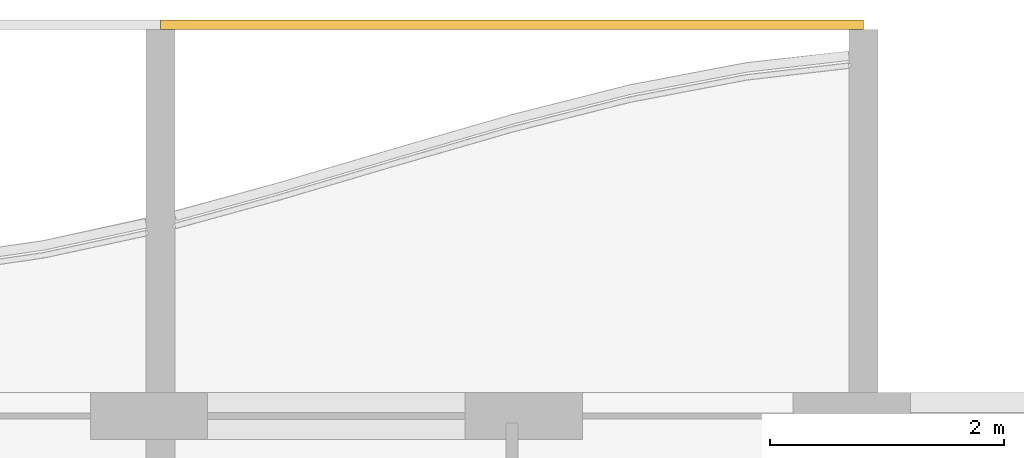
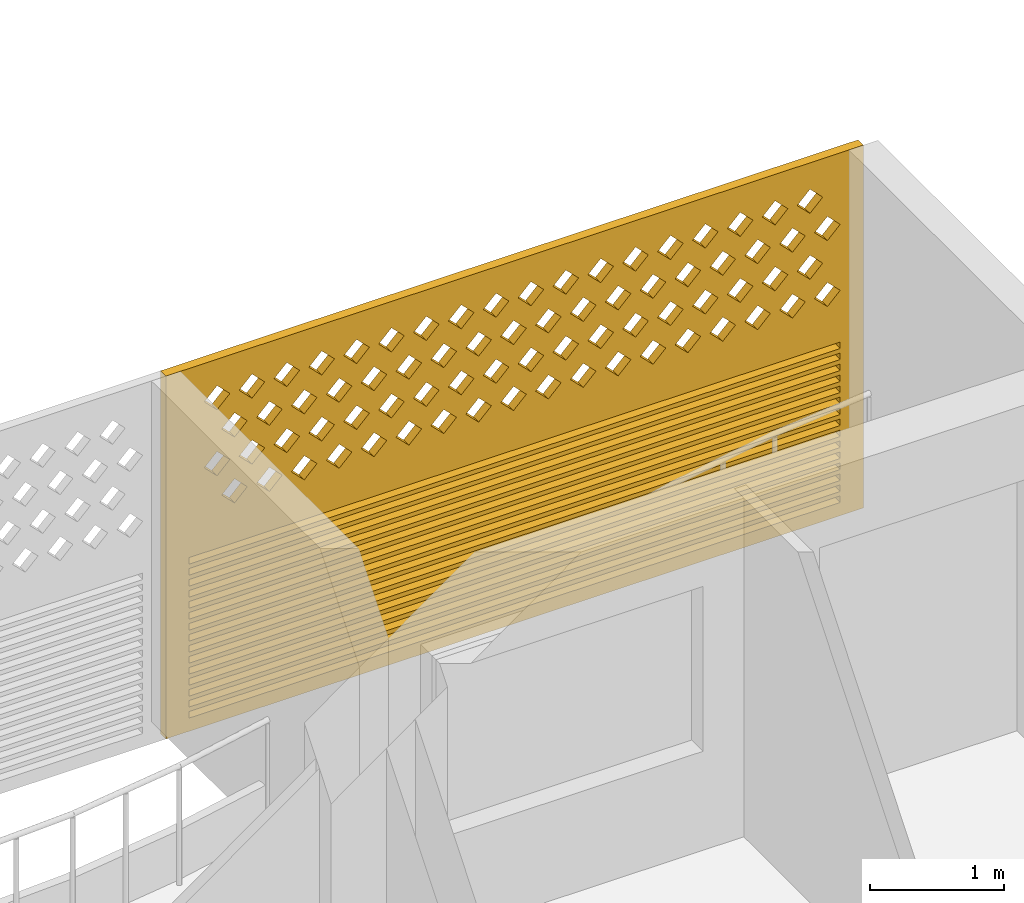
# One storey, part 22 of 26: 1 covering.
"""IFC4 building model written with IfcOpenShell, lengths in metres."""

from ifc_helpers import new_model, si_unit, direction, frame, origin, place, context, subcontext, project, spatial, polyline, outline, extrude, source, transform, mapped, material, material_profile, profile_set, type_object, element, save


model = new_model("IFC4")

# Units and contexts
model_context = context("Model", 3, precision=1e-05, world=origin(), true_north=direction((0.0, 1.0)))
body_context = subcontext(model_context, "Body", "Model", "MODEL_VIEW")
ifc_project = project(units=[si_unit("LENGTHUNIT", "METRE"), si_unit("AREAUNIT", "SQUARE_METRE"), si_unit("VOLUMEUNIT", "CUBIC_METRE"), si_unit("PLANEANGLEUNIT", "RADIAN"), si_unit("MASSUNIT", "GRAM", prefix="KILO")], contexts=[model_context])

# Site, building, storey
site_placement = place(None, origin())
site = spatial("IfcSite", under=ifc_project, at=site_placement, CompositionType="ELEMENT")
building_placement = place(site_placement, origin())
building = spatial("IfcBuilding", under=site, at=building_placement, Name="Poui Terraces", CompositionType="ELEMENT")
storey_placement = place(building_placement, frame((0.0, 0.0, 175.199951171875)))
storey = spatial("IfcBuildingStorey", under=building, at=storey_placement, Name="L48", CompositionType="ELEMENT", Elevation=175.199951171875)

# Covering
ifc_material = material(Name="Terracotta screen", Category="masonry")
ifc_material_profile = material_profile(ifc_material, outline(polyline([(-3.0, -1.64990234375), (3.0, -1.64990234375), (3.0, 1.64990234375), (-3.0, 1.64990234375), (-3.0, -1.64990234375)]), holes=[polyline([(-2.800048828125, 0.39990234375), (-2.68994140625, 0.2900390625), (-2.580078125, 0.39990234375), (-2.68994140625, 0.510009765625), (-2.800048828125, 0.39990234375)]), polyline([(-2.5, 0.39990234375), (-2.389892578125, 0.2900390625), (-2.280029296875, 0.39990234375), (-2.389892578125, 0.510009765625), (-2.5, 0.39990234375)]), polyline([(-2.199951171875, 0.39990234375), (-2.090087890625, 0.2900390625), (-1.97998046875, 0.39990234375), (-2.090087890625, 0.510009765625), (-2.199951171875, 0.39990234375)]), polyline([(-1.89990234375, 0.39990234375), (-1.7900390625, 0.2900390625), (-1.679931640625, 0.39990234375), (-1.7900390625, 0.510009765625), (-1.89990234375, 0.39990234375)]), polyline([(-1.60009765625, 0.39990234375), (-1.489990234375, 0.2900390625), (-1.3798828125, 0.39990234375), (-1.489990234375, 0.510009765625), (-1.60009765625, 0.39990234375)]), polyline([(-1.300048828125, 0.39990234375), (-1.18994140625, 0.2900390625), (-1.080078125, 0.39990234375), (-1.18994140625, 0.510009765625), (-1.300048828125, 0.39990234375)]), polyline([(-1.0, 0.39990234375), (-0.889892578125, 0.2900390625), (-0.780029296875, 0.39990234375), (-0.889892578125, 0.510009765625), (-1.0, 0.39990234375)]), polyline([(-0.699951171875, 0.39990234375), (-0.590087890625, 0.2900390625), (-0.47998046875, 0.39990234375), (-0.590087890625, 0.510009765625), (-0.699951171875, 0.39990234375)]), polyline([(-0.39990234375, 0.39990234375), (-0.2900390625, 0.2900390625), (-0.179931640625, 0.39990234375), (-0.2900390625, 0.510009765625), (-0.39990234375, 0.39990234375)]), polyline([(-0.10009765625, 0.39990234375), (0.010009765625, 0.2900390625), (0.1201171875, 0.39990234375), (0.010009765625, 0.510009765625), (-0.10009765625, 0.39990234375)]), polyline([(0.199951171875, 0.39990234375), (0.31005859375, 0.2900390625), (0.419921875, 0.39990234375), (0.31005859375, 0.510009765625), (0.199951171875, 0.39990234375)]), polyline([(0.5, 0.39990234375), (0.610107421875, 0.2900390625), (0.719970703125, 0.39990234375), (0.610107421875, 0.510009765625), (0.5, 0.39990234375)]), polyline([(0.800048828125, 0.39990234375), (0.909912109375, 0.2900390625), (1.02001953125, 0.39990234375), (0.909912109375, 0.510009765625), (0.800048828125, 0.39990234375)]), polyline([(1.10009765625, 0.39990234375), (1.2099609375, 0.2900390625), (1.320068359375, 0.39990234375), (1.2099609375, 0.510009765625), (1.10009765625, 0.39990234375)]), polyline([(1.39990234375, 0.39990234375), (1.510009765625, 0.2900390625), (1.6201171875, 0.39990234375), (1.510009765625, 0.510009765625), (1.39990234375, 0.39990234375)]), polyline([(1.699951171875, 0.39990234375), (1.81005859375, 0.2900390625), (1.919921875, 0.39990234375), (1.81005859375, 0.510009765625), (1.699951171875, 0.39990234375)]), polyline([(2.0, 0.39990234375), (2.110107421875, 0.2900390625), (2.219970703125, 0.39990234375), (2.110107421875, 0.510009765625), (2.0, 0.39990234375)]), polyline([(2.300048828125, 0.39990234375), (2.409912109375, 0.2900390625), (2.52001953125, 0.39990234375), (2.409912109375, 0.510009765625), (2.300048828125, 0.39990234375)]), polyline([(-2.64990234375, 0.699951171875), (-2.5400390625, 0.590087890625), (-2.429931640625, 0.699951171875), (-2.5400390625, 0.81005859375), (-2.64990234375, 0.699951171875)]), polyline([(-2.35009765625, 0.699951171875), (-2.239990234375, 0.590087890625), (-2.1298828125, 0.699951171875), (-2.239990234375, 0.81005859375), (-2.35009765625, 0.699951171875)]), polyline([(-2.050048828125, 0.699951171875), (-1.93994140625, 0.590087890625), (-1.830078125, 0.699951171875), (-1.93994140625, 0.81005859375), (-2.050048828125, 0.699951171875)]), polyline([(-1.75, 0.699951171875), (-1.639892578125, 0.590087890625), (-1.530029296875, 0.699951171875), (-1.639892578125, 0.81005859375), (-1.75, 0.699951171875)]), polyline([(-1.449951171875, 0.699951171875), (-1.340087890625, 0.590087890625), (-1.22998046875, 0.699951171875), (-1.340087890625, 0.81005859375), (-1.449951171875, 0.699951171875)]), polyline([(-1.14990234375, 0.699951171875), (-1.0400390625, 0.590087890625), (-0.929931640625, 0.699951171875), (-1.0400390625, 0.81005859375), (-1.14990234375, 0.699951171875)]), polyline([(-0.85009765625, 0.699951171875), (-0.739990234375, 0.590087890625), (-0.6298828125, 0.699951171875), (-0.739990234375, 0.81005859375), (-0.85009765625, 0.699951171875)]), polyline([(-0.550048828125, 0.699951171875), (-0.43994140625, 0.590087890625), (-0.330078125, 0.699951171875), (-0.43994140625, 0.81005859375), (-0.550048828125, 0.699951171875)]), polyline([(-0.25, 0.699951171875), (-0.139892578125, 0.590087890625), (-0.030029296875, 0.699951171875), (-0.139892578125, 0.81005859375), (-0.25, 0.699951171875)]), polyline([(0.050048828125, 0.699951171875), (0.159912109375, 0.590087890625), (0.27001953125, 0.699951171875), (0.159912109375, 0.81005859375), (0.050048828125, 0.699951171875)]), polyline([(0.35009765625, 0.699951171875), (0.4599609375, 0.590087890625), (0.570068359375, 0.699951171875), (0.4599609375, 0.81005859375), (0.35009765625, 0.699951171875)]), polyline([(0.64990234375, 0.699951171875), (0.760009765625, 0.590087890625), (0.8701171875, 0.699951171875), (0.760009765625, 0.81005859375), (0.64990234375, 0.699951171875)]), polyline([(0.949951171875, 0.699951171875), (1.06005859375, 0.590087890625), (1.169921875, 0.699951171875), (1.06005859375, 0.81005859375), (0.949951171875, 0.699951171875)]), polyline([(1.25, 0.699951171875), (1.360107421875, 0.590087890625), (1.469970703125, 0.699951171875), (1.360107421875, 0.81005859375), (1.25, 0.699951171875)]), polyline([(1.550048828125, 0.699951171875), (1.659912109375, 0.590087890625), (1.77001953125, 0.699951171875), (1.659912109375, 0.81005859375), (1.550048828125, 0.699951171875)]), polyline([(1.85009765625, 0.699951171875), (1.9599609375, 0.590087890625), (2.070068359375, 0.699951171875), (1.9599609375, 0.81005859375), (1.85009765625, 0.699951171875)]), polyline([(2.14990234375, 0.699951171875), (2.260009765625, 0.590087890625), (2.3701171875, 0.699951171875), (2.260009765625, 0.81005859375), (2.14990234375, 0.699951171875)]), polyline([(2.449951171875, 0.699951171875), (2.56005859375, 0.590087890625), (2.669921875, 0.699951171875), (2.56005859375, 0.81005859375), (2.449951171875, 0.699951171875)]), polyline([(-2.800048828125, 1.0), (-2.68994140625, 0.889892578125), (-2.580078125, 1.0), (-2.68994140625, 1.110107421875), (-2.800048828125, 1.0)]), polyline([(-2.5, 1.0), (-2.389892578125, 0.889892578125), (-2.280029296875, 1.0), (-2.389892578125, 1.110107421875), (-2.5, 1.0)]), polyline([(-2.199951171875, 1.0), (-2.090087890625, 0.889892578125), (-1.97998046875, 1.0), (-2.090087890625, 1.110107421875), (-2.199951171875, 1.0)]), polyline([(-1.89990234375, 1.0), (-1.7900390625, 0.889892578125), (-1.679931640625, 1.0), (-1.7900390625, 1.110107421875), (-1.89990234375, 1.0)]), polyline([(-1.60009765625, 1.0), (-1.489990234375, 0.889892578125), (-1.3798828125, 1.0), (-1.489990234375, 1.110107421875), (-1.60009765625, 1.0)]), polyline([(-1.300048828125, 1.0), (-1.18994140625, 0.889892578125), (-1.080078125, 1.0), (-1.18994140625, 1.110107421875), (-1.300048828125, 1.0)]), polyline([(-1.0, 1.0), (-0.889892578125, 0.889892578125), (-0.780029296875, 1.0), (-0.889892578125, 1.110107421875), (-1.0, 1.0)]), polyline([(-0.699951171875, 1.0), (-0.590087890625, 0.889892578125), (-0.47998046875, 1.0), (-0.590087890625, 1.110107421875), (-0.699951171875, 1.0)]), polyline([(-0.39990234375, 1.0), (-0.2900390625, 0.889892578125), (-0.179931640625, 1.0), (-0.2900390625, 1.110107421875), (-0.39990234375, 1.0)]), polyline([(-0.10009765625, 1.0), (0.010009765625, 0.889892578125), (0.1201171875, 1.0), (0.010009765625, 1.110107421875), (-0.10009765625, 1.0)]), polyline([(0.199951171875, 1.0), (0.31005859375, 0.889892578125), (0.419921875, 1.0), (0.31005859375, 1.110107421875), (0.199951171875, 1.0)]), polyline([(0.5, 1.0), (0.610107421875, 0.889892578125), (0.719970703125, 1.0), (0.610107421875, 1.110107421875), (0.5, 1.0)]), polyline([(0.800048828125, 1.0), (0.909912109375, 0.889892578125), (1.02001953125, 1.0), (0.909912109375, 1.110107421875), (0.800048828125, 1.0)]), polyline([(1.10009765625, 1.0), (1.2099609375, 0.889892578125), (1.320068359375, 1.0), (1.2099609375, 1.110107421875), (1.10009765625, 1.0)]), polyline([(1.39990234375, 1.0), (1.510009765625, 0.889892578125), (1.6201171875, 1.0), (1.510009765625, 1.110107421875), (1.39990234375, 1.0)]), polyline([(1.699951171875, 1.0), (1.81005859375, 0.889892578125), (1.919921875, 1.0), (1.81005859375, 1.110107421875), (1.699951171875, 1.0)]), polyline([(2.0, 1.0), (2.110107421875, 0.889892578125), (2.219970703125, 1.0), (2.110107421875, 1.110107421875), (2.0, 1.0)]), polyline([(2.300048828125, 1.0), (2.409912109375, 0.889892578125), (2.52001953125, 1.0), (2.409912109375, 1.110107421875), (2.300048828125, 1.0)]), polyline([(-2.64990234375, 1.300048828125), (-2.5400390625, 1.18994140625), (-2.429931640625, 1.300048828125), (-2.5400390625, 1.409912109375), (-2.64990234375, 1.300048828125)]), polyline([(-2.35009765625, 1.300048828125), (-2.239990234375, 1.18994140625), (-2.1298828125, 1.300048828125), (-2.239990234375, 1.409912109375), (-2.35009765625, 1.300048828125)]), polyline([(-2.050048828125, 1.300048828125), (-1.93994140625, 1.18994140625), (-1.830078125, 1.300048828125), (-1.93994140625, 1.409912109375), (-2.050048828125, 1.300048828125)]), polyline([(-1.75, 1.300048828125), (-1.639892578125, 1.18994140625), (-1.530029296875, 1.300048828125), (-1.639892578125, 1.409912109375), (-1.75, 1.300048828125)]), polyline([(-1.449951171875, 1.300048828125), (-1.340087890625, 1.18994140625), (-1.22998046875, 1.300048828125), (-1.340087890625, 1.409912109375), (-1.449951171875, 1.300048828125)]), polyline([(-1.14990234375, 1.300048828125), (-1.0400390625, 1.18994140625), (-0.929931640625, 1.300048828125), (-1.0400390625, 1.409912109375), (-1.14990234375, 1.300048828125)]), polyline([(-0.85009765625, 1.300048828125), (-0.739990234375, 1.18994140625), (-0.6298828125, 1.300048828125), (-0.739990234375, 1.409912109375), (-0.85009765625, 1.300048828125)]), polyline([(-0.550048828125, 1.300048828125), (-0.43994140625, 1.18994140625), (-0.330078125, 1.300048828125), (-0.43994140625, 1.409912109375), (-0.550048828125, 1.300048828125)]), polyline([(-0.25, 1.300048828125), (-0.139892578125, 1.18994140625), (-0.030029296875, 1.300048828125), (-0.139892578125, 1.409912109375), (-0.25, 1.300048828125)]), polyline([(0.050048828125, 1.300048828125), (0.159912109375, 1.18994140625), (0.27001953125, 1.300048828125), (0.159912109375, 1.409912109375), (0.050048828125, 1.300048828125)]), polyline([(0.35009765625, 1.300048828125), (0.4599609375, 1.18994140625), (0.570068359375, 1.300048828125), (0.4599609375, 1.409912109375), (0.35009765625, 1.300048828125)]), polyline([(0.64990234375, 1.300048828125), (0.760009765625, 1.18994140625), (0.8701171875, 1.300048828125), (0.760009765625, 1.409912109375), (0.64990234375, 1.300048828125)]), polyline([(0.949951171875, 1.300048828125), (1.06005859375, 1.18994140625), (1.169921875, 1.300048828125), (1.06005859375, 1.409912109375), (0.949951171875, 1.300048828125)]), polyline([(1.25, 1.300048828125), (1.360107421875, 1.18994140625), (1.469970703125, 1.300048828125), (1.360107421875, 1.409912109375), (1.25, 1.300048828125)]), polyline([(1.550048828125, 1.300048828125), (1.659912109375, 1.18994140625), (1.77001953125, 1.300048828125), (1.659912109375, 1.409912109375), (1.550048828125, 1.300048828125)]), polyline([(1.85009765625, 1.300048828125), (1.9599609375, 1.18994140625), (2.070068359375, 1.300048828125), (1.9599609375, 1.409912109375), (1.85009765625, 1.300048828125)]), polyline([(2.14990234375, 1.300048828125), (2.260009765625, 1.18994140625), (2.3701171875, 1.300048828125), (2.260009765625, 1.409912109375), (2.14990234375, 1.300048828125)]), polyline([(2.449951171875, 1.300048828125), (2.56005859375, 1.18994140625), (2.669921875, 1.300048828125), (2.56005859375, 1.409912109375), (2.449951171875, 1.300048828125)]), polyline([(-2.800048828125, -1.530029296875), (2.800048828125, -1.530029296875), (2.800048828125, -1.469970703125), (-2.800048828125, -1.469970703125), (-2.800048828125, -1.530029296875)]), polyline([(-2.800048828125, -1.429931640625), (2.800048828125, -1.429931640625), (2.800048828125, -1.3701171875), (-2.800048828125, -1.3701171875), (-2.800048828125, -1.429931640625)]), polyline([(-2.800048828125, -1.330078125), (2.800048828125, -1.330078125), (2.800048828125, -1.27001953125), (-2.800048828125, -1.27001953125), (-2.800048828125, -1.330078125)]), polyline([(-2.800048828125, -1.22998046875), (2.800048828125, -1.22998046875), (2.800048828125, -1.169921875), (-2.800048828125, -1.169921875), (-2.800048828125, -1.22998046875)]), polyline([(-2.800048828125, -1.1298828125), (2.800048828125, -1.1298828125), (2.800048828125, -1.070068359375), (-2.800048828125, -1.070068359375), (-2.800048828125, -1.1298828125)]), polyline([(-2.800048828125, -1.030029296875), (2.800048828125, -1.030029296875), (2.800048828125, -0.969970703125), (-2.800048828125, -0.969970703125), (-2.800048828125, -1.030029296875)]), polyline([(-2.800048828125, -0.929931640625), (2.800048828125, -0.929931640625), (2.800048828125, -0.8701171875), (-2.800048828125, -0.8701171875), (-2.800048828125, -0.929931640625)]), polyline([(-2.800048828125, -0.830078125), (2.800048828125, -0.830078125), (2.800048828125, -0.77001953125), (-2.800048828125, -0.77001953125), (-2.800048828125, -0.830078125)]), polyline([(-2.800048828125, -0.72998046875), (2.800048828125, -0.72998046875), (2.800048828125, -0.669921875), (-2.800048828125, -0.669921875), (-2.800048828125, -0.72998046875)]), polyline([(-2.800048828125, -0.6298828125), (2.800048828125, -0.6298828125), (2.800048828125, -0.570068359375), (-2.800048828125, -0.570068359375), (-2.800048828125, -0.6298828125)]), polyline([(-2.800048828125, -0.530029296875), (2.800048828125, -0.530029296875), (2.800048828125, -0.469970703125), (-2.800048828125, -0.469970703125), (-2.800048828125, -0.530029296875)]), polyline([(-2.800048828125, -0.429931640625), (2.800048828125, -0.429931640625), (2.800048828125, -0.3701171875), (-2.800048828125, -0.3701171875), (-2.800048828125, -0.429931640625)]), polyline([(-2.800048828125, -0.330078125), (2.800048828125, -0.330078125), (2.800048828125, -0.27001953125), (-2.800048828125, -0.27001953125), (-2.800048828125, -0.330078125)]), polyline([(-2.800048828125, -0.22998046875), (2.800048828125, -0.22998046875), (2.800048828125, -0.169921875), (-2.800048828125, -0.169921875), (-2.800048828125, -0.22998046875)]), polyline([(-2.800048828125, -0.1298828125), (2.800048828125, -0.1298828125), (2.800048828125, -0.070068359375), (-2.800048828125, -0.070068359375), (-2.800048828125, -0.1298828125)])]), Name="TERRACOTTA SCREEN AND JALOUSIE LOUVRE 6000X3300")
ifc_profile_set = profile_set([ifc_material_profile], Name="Terracotta screen")
covering_type = type_object("IfcCoveringType", Name="TERRACOTTA SCREEN AND JALOUSIE LOUVRE 6000X3300", PredefinedType="CLADDING", material=ifc_profile_set)
shared_shape = source(origin(), body_context, "Body", "SweptSolid", [
    extrude(outline(polyline([(-3.0, -1.64990234375), (3.0, -1.64990234375), (3.0, 1.64990234375), (-3.0, 1.64990234375), (-3.0, -1.64990234375)]), holes=[polyline([(-2.800048828125, 0.39990234375), (-2.68994140625, 0.2900390625), (-2.580078125, 0.39990234375), (-2.68994140625, 0.510009765625), (-2.800048828125, 0.39990234375)]), polyline([(-2.5, 0.39990234375), (-2.389892578125, 0.2900390625), (-2.280029296875, 0.39990234375), (-2.389892578125, 0.510009765625), (-2.5, 0.39990234375)]), polyline([(-2.199951171875, 0.39990234375), (-2.090087890625, 0.2900390625), (-1.97998046875, 0.39990234375), (-2.090087890625, 0.510009765625), (-2.199951171875, 0.39990234375)]), polyline([(-1.89990234375, 0.39990234375), (-1.7900390625, 0.2900390625), (-1.679931640625, 0.39990234375), (-1.7900390625, 0.510009765625), (-1.89990234375, 0.39990234375)]), polyline([(-1.60009765625, 0.39990234375), (-1.489990234375, 0.2900390625), (-1.3798828125, 0.39990234375), (-1.489990234375, 0.510009765625), (-1.60009765625, 0.39990234375)]), polyline([(-1.300048828125, 0.39990234375), (-1.18994140625, 0.2900390625), (-1.080078125, 0.39990234375), (-1.18994140625, 0.510009765625), (-1.300048828125, 0.39990234375)]), polyline([(-1.0, 0.39990234375), (-0.889892578125, 0.2900390625), (-0.780029296875, 0.39990234375), (-0.889892578125, 0.510009765625), (-1.0, 0.39990234375)]), polyline([(-0.699951171875, 0.39990234375), (-0.590087890625, 0.2900390625), (-0.47998046875, 0.39990234375), (-0.590087890625, 0.510009765625), (-0.699951171875, 0.39990234375)]), polyline([(-0.39990234375, 0.39990234375), (-0.2900390625, 0.2900390625), (-0.179931640625, 0.39990234375), (-0.2900390625, 0.510009765625), (-0.39990234375, 0.39990234375)]), polyline([(-0.10009765625, 0.39990234375), (0.010009765625, 0.2900390625), (0.1201171875, 0.39990234375), (0.010009765625, 0.510009765625), (-0.10009765625, 0.39990234375)]), polyline([(0.199951171875, 0.39990234375), (0.31005859375, 0.2900390625), (0.419921875, 0.39990234375), (0.31005859375, 0.510009765625), (0.199951171875, 0.39990234375)]), polyline([(0.5, 0.39990234375), (0.610107421875, 0.2900390625), (0.719970703125, 0.39990234375), (0.610107421875, 0.510009765625), (0.5, 0.39990234375)]), polyline([(0.800048828125, 0.39990234375), (0.909912109375, 0.2900390625), (1.02001953125, 0.39990234375), (0.909912109375, 0.510009765625), (0.800048828125, 0.39990234375)]), polyline([(1.10009765625, 0.39990234375), (1.2099609375, 0.2900390625), (1.320068359375, 0.39990234375), (1.2099609375, 0.510009765625), (1.10009765625, 0.39990234375)]), polyline([(1.39990234375, 0.39990234375), (1.510009765625, 0.2900390625), (1.6201171875, 0.39990234375), (1.510009765625, 0.510009765625), (1.39990234375, 0.39990234375)]), polyline([(1.699951171875, 0.39990234375), (1.81005859375, 0.2900390625), (1.919921875, 0.39990234375), (1.81005859375, 0.510009765625), (1.699951171875, 0.39990234375)]), polyline([(2.0, 0.39990234375), (2.110107421875, 0.2900390625), (2.219970703125, 0.39990234375), (2.110107421875, 0.510009765625), (2.0, 0.39990234375)]), polyline([(2.300048828125, 0.39990234375), (2.409912109375, 0.2900390625), (2.52001953125, 0.39990234375), (2.409912109375, 0.510009765625), (2.300048828125, 0.39990234375)]), polyline([(-2.64990234375, 0.699951171875), (-2.5400390625, 0.590087890625), (-2.429931640625, 0.699951171875), (-2.5400390625, 0.81005859375), (-2.64990234375, 0.699951171875)]), polyline([(-2.35009765625, 0.699951171875), (-2.239990234375, 0.590087890625), (-2.1298828125, 0.699951171875), (-2.239990234375, 0.81005859375), (-2.35009765625, 0.699951171875)]), polyline([(-2.050048828125, 0.699951171875), (-1.93994140625, 0.590087890625), (-1.830078125, 0.699951171875), (-1.93994140625, 0.81005859375), (-2.050048828125, 0.699951171875)]), polyline([(-1.75, 0.699951171875), (-1.639892578125, 0.590087890625), (-1.530029296875, 0.699951171875), (-1.639892578125, 0.81005859375), (-1.75, 0.699951171875)]), polyline([(-1.449951171875, 0.699951171875), (-1.340087890625, 0.590087890625), (-1.22998046875, 0.699951171875), (-1.340087890625, 0.81005859375), (-1.449951171875, 0.699951171875)]), polyline([(-1.14990234375, 0.699951171875), (-1.0400390625, 0.590087890625), (-0.929931640625, 0.699951171875), (-1.0400390625, 0.81005859375), (-1.14990234375, 0.699951171875)]), polyline([(-0.85009765625, 0.699951171875), (-0.739990234375, 0.590087890625), (-0.6298828125, 0.699951171875), (-0.739990234375, 0.81005859375), (-0.85009765625, 0.699951171875)]), polyline([(-0.550048828125, 0.699951171875), (-0.43994140625, 0.590087890625), (-0.330078125, 0.699951171875), (-0.43994140625, 0.81005859375), (-0.550048828125, 0.699951171875)]), polyline([(-0.25, 0.699951171875), (-0.139892578125, 0.590087890625), (-0.030029296875, 0.699951171875), (-0.139892578125, 0.81005859375), (-0.25, 0.699951171875)]), polyline([(0.050048828125, 0.699951171875), (0.159912109375, 0.590087890625), (0.27001953125, 0.699951171875), (0.159912109375, 0.81005859375), (0.050048828125, 0.699951171875)]), polyline([(0.35009765625, 0.699951171875), (0.4599609375, 0.590087890625), (0.570068359375, 0.699951171875), (0.4599609375, 0.81005859375), (0.35009765625, 0.699951171875)]), polyline([(0.64990234375, 0.699951171875), (0.760009765625, 0.590087890625), (0.8701171875, 0.699951171875), (0.760009765625, 0.81005859375), (0.64990234375, 0.699951171875)]), polyline([(0.949951171875, 0.699951171875), (1.06005859375, 0.590087890625), (1.169921875, 0.699951171875), (1.06005859375, 0.81005859375), (0.949951171875, 0.699951171875)]), polyline([(1.25, 0.699951171875), (1.360107421875, 0.590087890625), (1.469970703125, 0.699951171875), (1.360107421875, 0.81005859375), (1.25, 0.699951171875)]), polyline([(1.550048828125, 0.699951171875), (1.659912109375, 0.590087890625), (1.77001953125, 0.699951171875), (1.659912109375, 0.81005859375), (1.550048828125, 0.699951171875)]), polyline([(1.85009765625, 0.699951171875), (1.9599609375, 0.590087890625), (2.070068359375, 0.699951171875), (1.9599609375, 0.81005859375), (1.85009765625, 0.699951171875)]), polyline([(2.14990234375, 0.699951171875), (2.260009765625, 0.590087890625), (2.3701171875, 0.699951171875), (2.260009765625, 0.81005859375), (2.14990234375, 0.699951171875)]), polyline([(2.449951171875, 0.699951171875), (2.56005859375, 0.590087890625), (2.669921875, 0.699951171875), (2.56005859375, 0.81005859375), (2.449951171875, 0.699951171875)]), polyline([(-2.800048828125, 1.0), (-2.68994140625, 0.889892578125), (-2.580078125, 1.0), (-2.68994140625, 1.110107421875), (-2.800048828125, 1.0)]), polyline([(-2.5, 1.0), (-2.389892578125, 0.889892578125), (-2.280029296875, 1.0), (-2.389892578125, 1.110107421875), (-2.5, 1.0)]), polyline([(-2.199951171875, 1.0), (-2.090087890625, 0.889892578125), (-1.97998046875, 1.0), (-2.090087890625, 1.110107421875), (-2.199951171875, 1.0)]), polyline([(-1.89990234375, 1.0), (-1.7900390625, 0.889892578125), (-1.679931640625, 1.0), (-1.7900390625, 1.110107421875), (-1.89990234375, 1.0)]), polyline([(-1.60009765625, 1.0), (-1.489990234375, 0.889892578125), (-1.3798828125, 1.0), (-1.489990234375, 1.110107421875), (-1.60009765625, 1.0)]), polyline([(-1.300048828125, 1.0), (-1.18994140625, 0.889892578125), (-1.080078125, 1.0), (-1.18994140625, 1.110107421875), (-1.300048828125, 1.0)]), polyline([(-1.0, 1.0), (-0.889892578125, 0.889892578125), (-0.780029296875, 1.0), (-0.889892578125, 1.110107421875), (-1.0, 1.0)]), polyline([(-0.699951171875, 1.0), (-0.590087890625, 0.889892578125), (-0.47998046875, 1.0), (-0.590087890625, 1.110107421875), (-0.699951171875, 1.0)]), polyline([(-0.39990234375, 1.0), (-0.2900390625, 0.889892578125), (-0.179931640625, 1.0), (-0.2900390625, 1.110107421875), (-0.39990234375, 1.0)]), polyline([(-0.10009765625, 1.0), (0.010009765625, 0.889892578125), (0.1201171875, 1.0), (0.010009765625, 1.110107421875), (-0.10009765625, 1.0)]), polyline([(0.199951171875, 1.0), (0.31005859375, 0.889892578125), (0.419921875, 1.0), (0.31005859375, 1.110107421875), (0.199951171875, 1.0)]), polyline([(0.5, 1.0), (0.610107421875, 0.889892578125), (0.719970703125, 1.0), (0.610107421875, 1.110107421875), (0.5, 1.0)]), polyline([(0.800048828125, 1.0), (0.909912109375, 0.889892578125), (1.02001953125, 1.0), (0.909912109375, 1.110107421875), (0.800048828125, 1.0)]), polyline([(1.10009765625, 1.0), (1.2099609375, 0.889892578125), (1.320068359375, 1.0), (1.2099609375, 1.110107421875), (1.10009765625, 1.0)]), polyline([(1.39990234375, 1.0), (1.510009765625, 0.889892578125), (1.6201171875, 1.0), (1.510009765625, 1.110107421875), (1.39990234375, 1.0)]), polyline([(1.699951171875, 1.0), (1.81005859375, 0.889892578125), (1.919921875, 1.0), (1.81005859375, 1.110107421875), (1.699951171875, 1.0)]), polyline([(2.0, 1.0), (2.110107421875, 0.889892578125), (2.219970703125, 1.0), (2.110107421875, 1.110107421875), (2.0, 1.0)]), polyline([(2.300048828125, 1.0), (2.409912109375, 0.889892578125), (2.52001953125, 1.0), (2.409912109375, 1.110107421875), (2.300048828125, 1.0)]), polyline([(-2.64990234375, 1.300048828125), (-2.5400390625, 1.18994140625), (-2.429931640625, 1.300048828125), (-2.5400390625, 1.409912109375), (-2.64990234375, 1.300048828125)]), polyline([(-2.35009765625, 1.300048828125), (-2.239990234375, 1.18994140625), (-2.1298828125, 1.300048828125), (-2.239990234375, 1.409912109375), (-2.35009765625, 1.300048828125)]), polyline([(-2.050048828125, 1.300048828125), (-1.93994140625, 1.18994140625), (-1.830078125, 1.300048828125), (-1.93994140625, 1.409912109375), (-2.050048828125, 1.300048828125)]), polyline([(-1.75, 1.300048828125), (-1.639892578125, 1.18994140625), (-1.530029296875, 1.300048828125), (-1.639892578125, 1.409912109375), (-1.75, 1.300048828125)]), polyline([(-1.449951171875, 1.300048828125), (-1.340087890625, 1.18994140625), (-1.22998046875, 1.300048828125), (-1.340087890625, 1.409912109375), (-1.449951171875, 1.300048828125)]), polyline([(-1.14990234375, 1.300048828125), (-1.0400390625, 1.18994140625), (-0.929931640625, 1.300048828125), (-1.0400390625, 1.409912109375), (-1.14990234375, 1.300048828125)]), polyline([(-0.85009765625, 1.300048828125), (-0.739990234375, 1.18994140625), (-0.6298828125, 1.300048828125), (-0.739990234375, 1.409912109375), (-0.85009765625, 1.300048828125)]), polyline([(-0.550048828125, 1.300048828125), (-0.43994140625, 1.18994140625), (-0.330078125, 1.300048828125), (-0.43994140625, 1.409912109375), (-0.550048828125, 1.300048828125)]), polyline([(-0.25, 1.300048828125), (-0.139892578125, 1.18994140625), (-0.030029296875, 1.300048828125), (-0.139892578125, 1.409912109375), (-0.25, 1.300048828125)]), polyline([(0.050048828125, 1.300048828125), (0.159912109375, 1.18994140625), (0.27001953125, 1.300048828125), (0.159912109375, 1.409912109375), (0.050048828125, 1.300048828125)]), polyline([(0.35009765625, 1.300048828125), (0.4599609375, 1.18994140625), (0.570068359375, 1.300048828125), (0.4599609375, 1.409912109375), (0.35009765625, 1.300048828125)]), polyline([(0.64990234375, 1.300048828125), (0.760009765625, 1.18994140625), (0.8701171875, 1.300048828125), (0.760009765625, 1.409912109375), (0.64990234375, 1.300048828125)]), polyline([(0.949951171875, 1.300048828125), (1.06005859375, 1.18994140625), (1.169921875, 1.300048828125), (1.06005859375, 1.409912109375), (0.949951171875, 1.300048828125)]), polyline([(1.25, 1.300048828125), (1.360107421875, 1.18994140625), (1.469970703125, 1.300048828125), (1.360107421875, 1.409912109375), (1.25, 1.300048828125)]), polyline([(1.550048828125, 1.300048828125), (1.659912109375, 1.18994140625), (1.77001953125, 1.300048828125), (1.659912109375, 1.409912109375), (1.550048828125, 1.300048828125)]), polyline([(1.85009765625, 1.300048828125), (1.9599609375, 1.18994140625), (2.070068359375, 1.300048828125), (1.9599609375, 1.409912109375), (1.85009765625, 1.300048828125)]), polyline([(2.14990234375, 1.300048828125), (2.260009765625, 1.18994140625), (2.3701171875, 1.300048828125), (2.260009765625, 1.409912109375), (2.14990234375, 1.300048828125)]), polyline([(2.449951171875, 1.300048828125), (2.56005859375, 1.18994140625), (2.669921875, 1.300048828125), (2.56005859375, 1.409912109375), (2.449951171875, 1.300048828125)]), polyline([(-2.800048828125, -1.530029296875), (2.800048828125, -1.530029296875), (2.800048828125, -1.469970703125), (-2.800048828125, -1.469970703125), (-2.800048828125, -1.530029296875)]), polyline([(-2.800048828125, -1.429931640625), (2.800048828125, -1.429931640625), (2.800048828125, -1.3701171875), (-2.800048828125, -1.3701171875), (-2.800048828125, -1.429931640625)]), polyline([(-2.800048828125, -1.330078125), (2.800048828125, -1.330078125), (2.800048828125, -1.27001953125), (-2.800048828125, -1.27001953125), (-2.800048828125, -1.330078125)]), polyline([(-2.800048828125, -1.22998046875), (2.800048828125, -1.22998046875), (2.800048828125, -1.169921875), (-2.800048828125, -1.169921875), (-2.800048828125, -1.22998046875)]), polyline([(-2.800048828125, -1.1298828125), (2.800048828125, -1.1298828125), (2.800048828125, -1.070068359375), (-2.800048828125, -1.070068359375), (-2.800048828125, -1.1298828125)]), polyline([(-2.800048828125, -1.030029296875), (2.800048828125, -1.030029296875), (2.800048828125, -0.969970703125), (-2.800048828125, -0.969970703125), (-2.800048828125, -1.030029296875)]), polyline([(-2.800048828125, -0.929931640625), (2.800048828125, -0.929931640625), (2.800048828125, -0.8701171875), (-2.800048828125, -0.8701171875), (-2.800048828125, -0.929931640625)]), polyline([(-2.800048828125, -0.830078125), (2.800048828125, -0.830078125), (2.800048828125, -0.77001953125), (-2.800048828125, -0.77001953125), (-2.800048828125, -0.830078125)]), polyline([(-2.800048828125, -0.72998046875), (2.800048828125, -0.72998046875), (2.800048828125, -0.669921875), (-2.800048828125, -0.669921875), (-2.800048828125, -0.72998046875)]), polyline([(-2.800048828125, -0.6298828125), (2.800048828125, -0.6298828125), (2.800048828125, -0.570068359375), (-2.800048828125, -0.570068359375), (-2.800048828125, -0.6298828125)]), polyline([(-2.800048828125, -0.530029296875), (2.800048828125, -0.530029296875), (2.800048828125, -0.469970703125), (-2.800048828125, -0.469970703125), (-2.800048828125, -0.530029296875)]), polyline([(-2.800048828125, -0.429931640625), (2.800048828125, -0.429931640625), (2.800048828125, -0.3701171875), (-2.800048828125, -0.3701171875), (-2.800048828125, -0.429931640625)]), polyline([(-2.800048828125, -0.330078125), (2.800048828125, -0.330078125), (2.800048828125, -0.27001953125), (-2.800048828125, -0.27001953125), (-2.800048828125, -0.330078125)]), polyline([(-2.800048828125, -0.22998046875), (2.800048828125, -0.22998046875), (2.800048828125, -0.169921875), (-2.800048828125, -0.169921875), (-2.800048828125, -0.22998046875)]), polyline([(-2.800048828125, -0.1298828125), (2.800048828125, -0.1298828125), (2.800048828125, -0.070068359375), (-2.800048828125, -0.070068359375), (-2.800048828125, -0.1298828125)])]), origin(), (0.0, 0.0, 1.0), 0.080078125),
])
covering_placement = place(storey_placement, frame((57.0, 44.5, 1.449951171875), z_axis=(0.0, 1.0, 0.0), x_axis=(-1.0, 0.0, 0.0)))
element("IfcCovering", 1, at=covering_placement, inside=storey, type_object=covering_type, Name="SOLAR SCREEN AND JALOUSIE LOUVRE", PredefinedType="CLADDING", context=body_context, shape_type="MappedRepresentation", body=[
    mapped(shared_shape, transform((0.0, 0.0, 0.0))),
])

save(model, "model.ifc")
